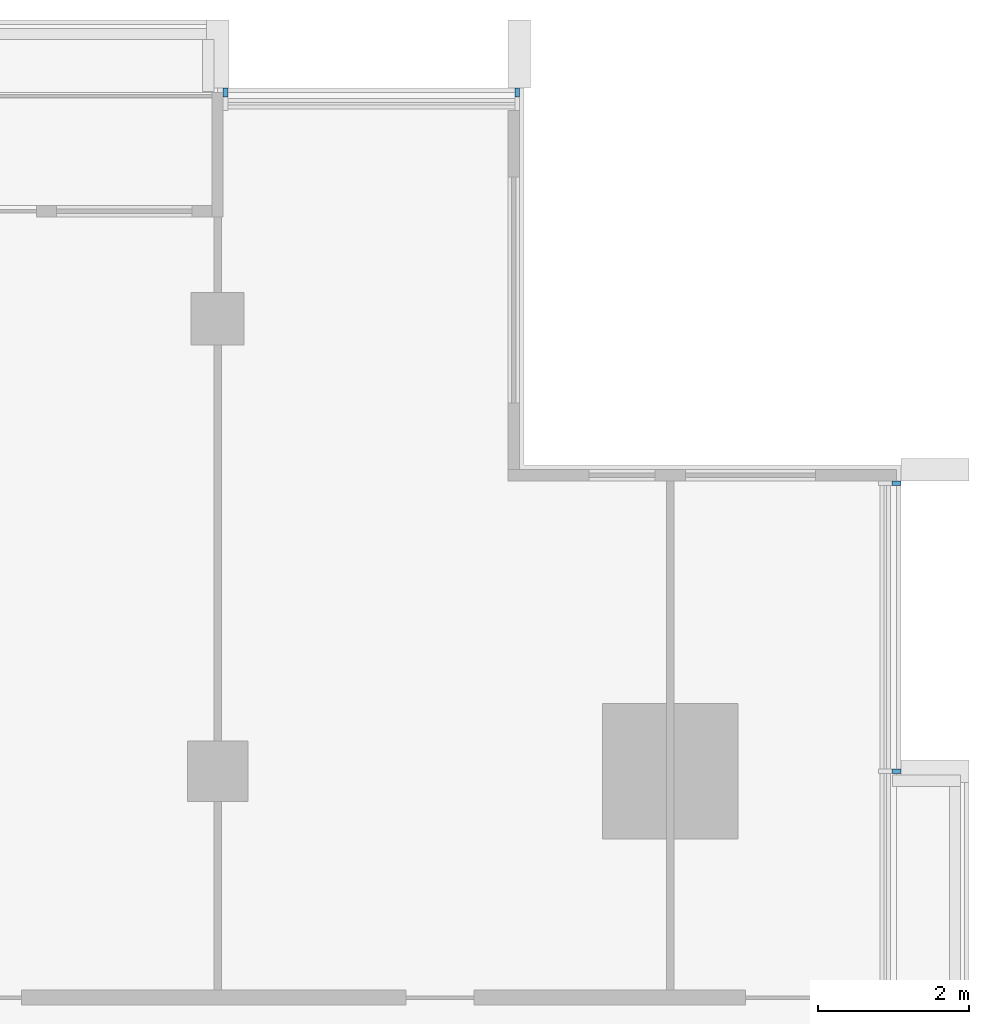
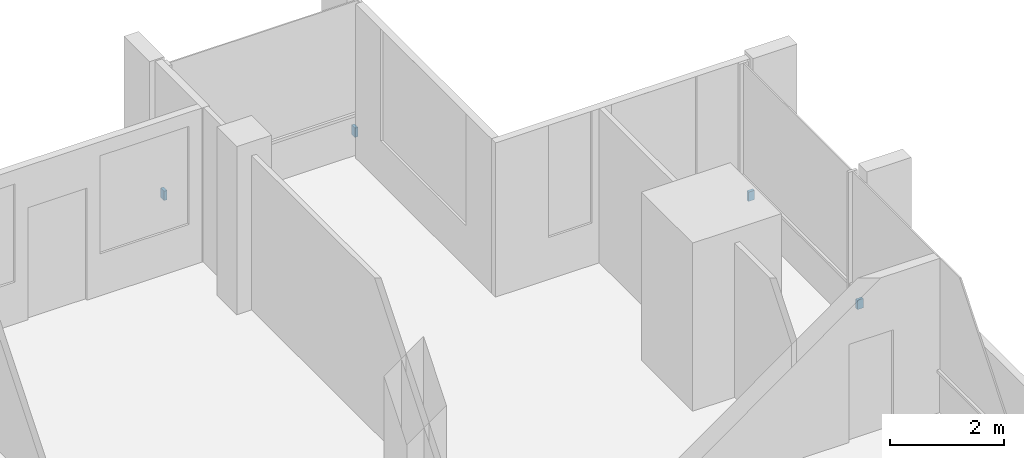
# One storey, part 14 of 15: 4 discrete accessories.
"""IFC4 building model written with IfcOpenShell, lengths in metres."""

from ifc_helpers import new_model, si_unit, direction, frame, origin, origin_2d, place, context, subcontext, project, spatial, rectangle, extrude, material, type_object, element, save


model = new_model("IFC4")

# Units and contexts
model_context = context("Model", 3, precision=1e-05, world=origin(), true_north=direction((0.0, 1.0)))
body_context = subcontext(model_context, "Body", "Model", "MODEL_VIEW")
ifc_project = project(units=[si_unit("LENGTHUNIT", "METRE"), si_unit("AREAUNIT", "SQUARE_METRE"), si_unit("VOLUMEUNIT", "CUBIC_METRE"), si_unit("PLANEANGLEUNIT", "RADIAN"), si_unit("MASSUNIT", "GRAM", prefix="KILO")], contexts=[model_context])

# Site, building, storey
site_placement = place(None, origin())
site = spatial("IfcSite", under=ifc_project, at=site_placement, CompositionType="ELEMENT")
building_placement = place(site_placement, origin())
building = spatial("IfcBuilding", under=site, at=building_placement, Name="Finial Court Residences", CompositionType="ELEMENT")
storey_placement = place(building_placement, frame((0.0, 0.0, 273.5)))
storey = spatial("IfcBuildingStorey", under=building, at=storey_placement, Name="L69", CompositionType="ELEMENT", Elevation=273.5)

# Discrete accessories
ifc_material = material(Name="Stainless steel 316", Category="steel")
discrete_accessory_type = type_object("IfcDiscreteAccessoryType", Name="Fin bracket, stainless steel 60 x 122 x 200", PredefinedType="BRACKET", material=ifc_material)
for number, where, z_axis, x_axis, name in (
    (1, (10.60498046875, 16.498779296875, 0.2998046875), (0.0, 0.0, 1.0), (1.0, 0.0, 0.0), "E-L69-FIN-N5-BRK"),
    (2, (14.469970703125, 16.498779296875, 0.2998046875), (0.0, 0.0, 1.0), (1.0, 0.0, 0.0), "E-L69-FIN-N6-BRK"),
):
    element("IfcDiscreteAccessory", number, at=place(storey_placement, frame(where, z_axis=z_axis, x_axis=x_axis)), inside=storey, type_object=discrete_accessory_type, Name=name, PredefinedType="BRACKET", context=body_context, shape_type="SweptSolid", body=[
        extrude(rectangle(XDim=0.06005859375, YDim=0.12255859375, at=origin_2d()), origin(), (0.0, 0.0, 1.0), 0.199951171875),
    ])
for number, where, z_axis, x_axis, name in (
    (3, (19.498779296875, 7.5, 0.2998046875), (0.0, 0.0, 1.0), (1.0, 0.0, 0.0), "E-L69-FIN-E11-BRK"),
    (4, (19.498779296875, 11.320068359375, 0.2998046875), (0.0, 0.0, 1.0), (1.0, 0.0, 0.0), "E-L69-FIN-E12-BRK"),
):
    element("IfcDiscreteAccessory", number, at=place(storey_placement, frame(where, z_axis=z_axis, x_axis=x_axis)), inside=storey, type_object=discrete_accessory_type, Name=name, PredefinedType="BRACKET", context=body_context, shape_type="SweptSolid", body=[
        extrude(rectangle(XDim=0.12255859375, YDim=0.06005859375, at=origin_2d()), origin(), (0.0, 0.0, 1.0), 0.199951171875),
    ])

save(model, "model.ifc")
